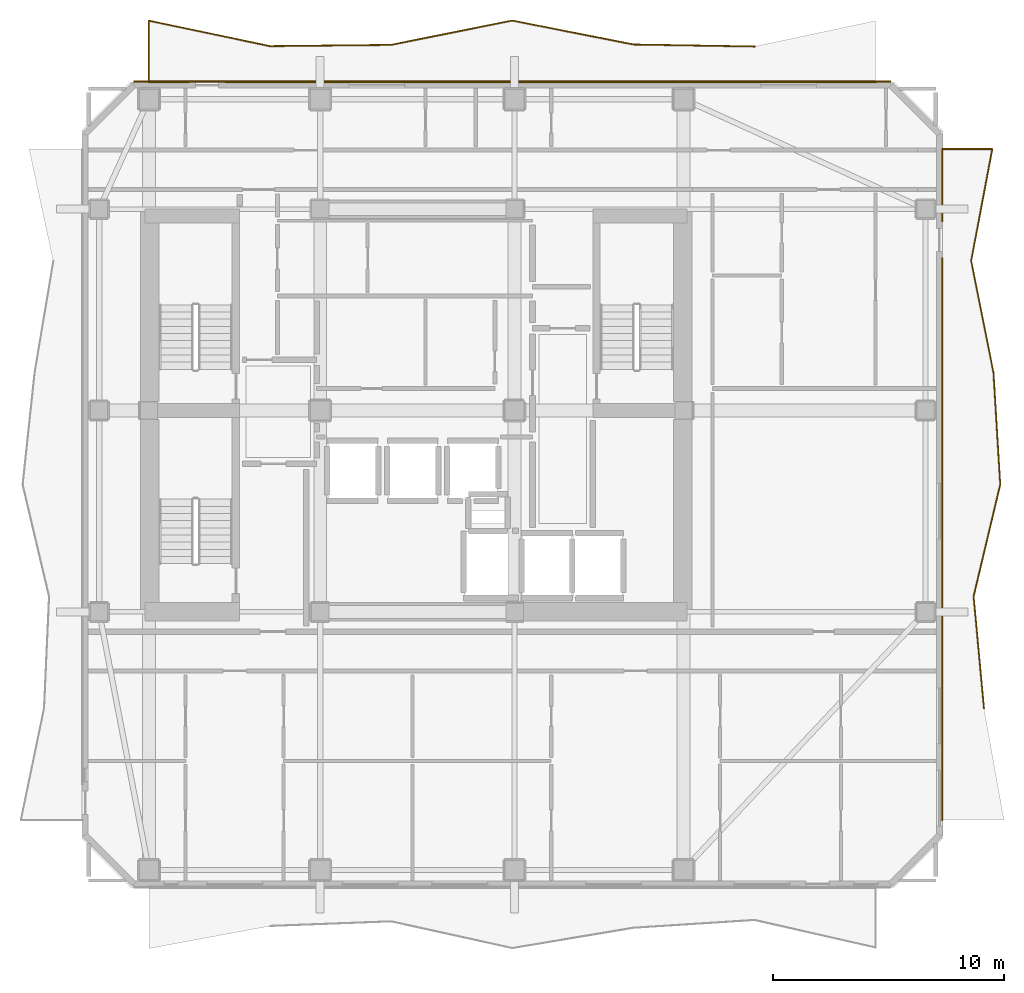
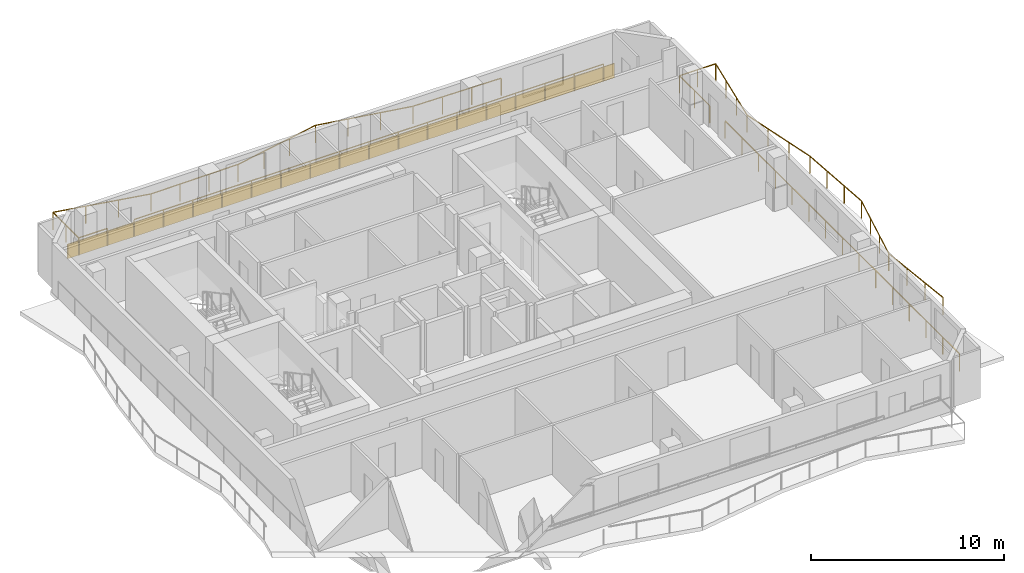
# One storey, part 9 of 9: 4 railings, 1 covering.
"""IFC4 building model written with IfcOpenShell, lengths in metres."""

from ifc_helpers import new_model, si_unit, direction, frame, frame_2d, origin, origin_2d, place, context, subcontext, project, spatial, rectangle, extrude, material, layer, layer_set, type_object, element, save


model = new_model("IFC4")

# Units and contexts
model_context = context("Model", 3, precision=1e-05, world=origin(), true_north=direction((0.0, 1.0)))
body_context = subcontext(model_context, "Body", "Model", "MODEL_VIEW")
ifc_project = project(units=[si_unit("LENGTHUNIT", "METRE"), si_unit("AREAUNIT", "SQUARE_METRE"), si_unit("VOLUMEUNIT", "CUBIC_METRE"), si_unit("PLANEANGLEUNIT", "RADIAN"), si_unit("MASSUNIT", "GRAM", prefix="KILO")], contexts=[model_context])

# Site, building, storey
site_placement = place(None, origin())
site = spatial("IfcSite", under=ifc_project, at=site_placement, CompositionType="ELEMENT")
building_placement = place(site_placement, origin())
building = spatial("IfcBuilding", under=site, at=building_placement, Name="Solanera Arch Residences", CompositionType="ELEMENT")
storey_placement = place(building_placement, frame((0.0, 0.0, 216.719970703125)))
storey = spatial("IfcBuildingStorey", under=building, at=storey_placement, Name="L63", CompositionType="ELEMENT", Elevation=216.719970703125)

# Railings
ifc_material_1 = material(Name="Steel S355 (ASTM A992 / A572 Grade 50)", Category="steel")
railing_type = type_object("IfcRailingType", Name="Balustrade Railing BL-1100", PredefinedType="BALUSTRADE", material=ifc_material_1)
railing_1_placement = place(storey_placement, frame((39.56689453125, 46.429931640625, 0.0)))
element("IfcRailing", 1, at=railing_1_placement, inside=storey, type_object=railing_type, Name="L63 N Balcony Balustrade 1", PredefinedType="BALUSTRADE", context=body_context, shape_type="SweptSolid", body=[
    extrude(rectangle(XDim=0.048095703125, YDim=0.048095703125, at=origin_2d()), frame((0.0, 0.0, 1.09619140625), z_axis=(-0.999858249851, 0.016836870426, 0.0), x_axis=(-0.016836870426, -0.999858249851, 0.0)), (0.0, 0.0, 1.0), 5.234619140625),
    extrude(rectangle(XDim=0.048095703125, YDim=0.048095703125, at=origin_2d()), frame((-5.23388671875, 0.088134765625, 1.09619140625), z_axis=(-0.981103535694, 0.193483467639, 0.0), x_axis=(-0.193483467639, -0.981103535694, 0.0)), (0.0, 0.0, 1.0), 5.333740234375),
    extrude(rectangle(XDim=0.048095703125, YDim=0.048095703125, at=origin_2d()), frame((-10.466796875, 1.1201171875, 1.09619140625), z_axis=(-0.980492610512, -0.196555948093, 0.0), x_axis=(0.196555948093, -0.980492610512, 0.0)), (0.0, 0.0, 1.0), 5.337158203125),
    extrude(rectangle(XDim=0.048095703125, YDim=0.048095703125, at=origin_2d()), frame((-15.699951171875, 0.071044921875, 1.09619140625), z_axis=(-0.999944928028, -0.010494804031, 0.0), x_axis=(0.010494804031, -0.999944928028, 0.0)), (0.0, 0.0, 1.0), 5.234130859375),
    extrude(rectangle(XDim=0.048095703125, YDim=0.048095703125, at=origin_2d()), frame((-20.933837890625, 0.01611328125, 1.09619140625), z_axis=(-0.978619966934, 0.205676834665, 0.0), x_axis=(-0.205676834665, -0.978619966934, 0.0)), (0.0, 0.0, 1.0), 5.347412109375),
    extrude(rectangle(XDim=0.048095703125, YDim=0.048095703125, at=origin_2d()), frame((-26.1669921875, 1.115966796875, 1.09619140625), z_axis=(0.0, -1.0, 0.0), x_axis=(1.0, 0.0, 0.0)), (0.0, 0.0, 1.0), 2.666015625),
    extrude(rectangle(XDim=0.048095703125, YDim=0.048095703125, at=origin_2d()), frame((-26.1669921875, -1.550048828125, 1.09619140625), z_axis=(1.0, 0.0, 0.0), x_axis=(0.0, 1.0, 0.0)), (0.0, 0.0, 1.0), 1.710205078125),
    extrude(rectangle(XDim=0.0419921875, YDim=0.0419921875, at=origin_2d()), origin(), (0.0, 0.0, 1.0), 1.072021484375),
    extrude(rectangle(XDim=0.0419921875, YDim=0.0419921875, at=origin_2d()), frame((-1.74462890625, 0.029296875, 0.0)), (0.0, 0.0, 1.0), 1.072021484375),
    extrude(rectangle(XDim=0.0419921875, YDim=0.0419921875, at=origin_2d()), frame((-3.4892578125, 0.058837890625, 0.0)), (0.0, 0.0, 1.0), 1.072021484375),
    extrude(rectangle(XDim=0.0419921875, YDim=0.0419921875, at=origin_2d()), frame((-5.23388671875, 0.088134765625, 0.0)), (0.0, 0.0, 1.0), 1.072021484375),
    extrude(rectangle(XDim=0.0419921875, YDim=0.0419921875, at=origin_2d()), frame((-6.978271484375, 0.43212890625, 0.0)), (0.0, 0.0, 1.0), 1.072021484375),
    extrude(rectangle(XDim=0.0419921875, YDim=0.0419921875, at=origin_2d()), frame((-8.722412109375, 0.776123046875, 0.0)), (0.0, 0.0, 1.0), 1.072021484375),
    extrude(rectangle(XDim=0.0419921875, YDim=0.0419921875, at=origin_2d()), frame((-10.466796875, 1.1201171875, 0.0)), (0.0, 0.0, 1.0), 1.072021484375),
    extrude(rectangle(XDim=0.0419921875, YDim=0.0419921875, at=origin_2d()), frame((-12.211181640625, 0.7705078125, 0.0)), (0.0, 0.0, 1.0), 1.072021484375),
    extrude(rectangle(XDim=0.0419921875, YDim=0.0419921875, at=origin_2d()), frame((-13.95556640625, 0.420654296875, 0.0)), (0.0, 0.0, 1.0), 1.072021484375),
    extrude(rectangle(XDim=0.0419921875, YDim=0.0419921875, at=origin_2d()), frame((-15.699951171875, 0.071044921875, 0.0)), (0.0, 0.0, 1.0), 1.072021484375),
    extrude(rectangle(XDim=0.0419921875, YDim=0.0419921875, at=origin_2d()), frame((-17.444580078125, 0.052734375, 0.0)), (0.0, 0.0, 1.0), 1.072021484375),
    extrude(rectangle(XDim=0.0419921875, YDim=0.0419921875, at=origin_2d()), frame((-19.189208984375, 0.034423828125, 0.0)), (0.0, 0.0, 1.0), 1.072021484375),
    extrude(rectangle(XDim=0.0419921875, YDim=0.0419921875, at=origin_2d()), frame((-20.933837890625, 0.01611328125, 0.0)), (0.0, 0.0, 1.0), 1.072021484375),
    extrude(rectangle(XDim=0.0419921875, YDim=0.0419921875, at=origin_2d()), frame((-22.67822265625, 0.3828125, 0.0)), (0.0, 0.0, 1.0), 1.072021484375),
    extrude(rectangle(XDim=0.0419921875, YDim=0.0419921875, at=origin_2d()), frame((-24.422607421875, 0.749267578125, 0.0)), (0.0, 0.0, 1.0), 1.072021484375),
    extrude(rectangle(XDim=0.0419921875, YDim=0.0419921875, at=origin_2d()), frame((-26.1669921875, 1.115966796875, 0.0)), (0.0, 0.0, 1.0), 1.072021484375),
    extrude(rectangle(XDim=0.0419921875, YDim=0.0419921875, at=origin_2d()), frame((-26.1669921875, -0.217041015625, 0.0)), (0.0, 0.0, 1.0), 1.072021484375),
    extrude(rectangle(XDim=0.0419921875, YDim=0.0419921875, at=origin_2d()), frame((-26.1669921875, -1.550048828125, 0.0)), (0.0, 0.0, 1.0), 1.072021484375),
    extrude(rectangle(XDim=0.0419921875, YDim=0.0419921875, at=origin_2d()), frame((-24.456787109375, -1.550048828125, 0.0)), (0.0, 0.0, 1.0), 1.072021484375),
])
railing_2_placement = place(storey_placement, frame((16.7099609375, 44.8798828125, 0.0)))
element("IfcRailing", 2, at=railing_2_placement, inside=storey, type_object=railing_type, Name="L63 N Balcony Balustrade 2", PredefinedType="BALUSTRADE", context=body_context, shape_type="SweptSolid", body=[
    extrude(rectangle(XDim=0.048095703125, YDim=0.048095703125, at=origin_2d()), frame((0.0, 0.0, 1.09619140625), z_axis=(1.0, 0.0, 0.0), x_axis=(0.0, 1.0, 0.0)), (0.0, 0.0, 1.0), 28.090087890625),
    extrude(rectangle(XDim=0.0419921875, YDim=0.0419921875, at=origin_2d()), origin(), (0.0, 0.0, 1.0), 1.072021484375),
    extrude(rectangle(XDim=0.0419921875, YDim=0.0419921875, at=origin_2d()), frame((1.755615234375, 0.0, 0.0)), (0.0, 0.0, 1.0), 1.072021484375),
    extrude(rectangle(XDim=0.0419921875, YDim=0.0419921875, at=origin_2d()), frame((3.51123046875, 0.0, 0.0)), (0.0, 0.0, 1.0), 1.072021484375),
    extrude(rectangle(XDim=0.0419921875, YDim=0.0419921875, at=origin_2d()), frame((5.266845703125, 0.0, 0.0)), (0.0, 0.0, 1.0), 1.072021484375),
    extrude(rectangle(XDim=0.0419921875, YDim=0.0419921875, at=origin_2d()), frame((7.0224609375, 0.0, 0.0)), (0.0, 0.0, 1.0), 1.072021484375),
    extrude(rectangle(XDim=0.0419921875, YDim=0.0419921875, at=origin_2d()), frame((8.778076171875, 0.0, 0.0)), (0.0, 0.0, 1.0), 1.072021484375),
    extrude(rectangle(XDim=0.0419921875, YDim=0.0419921875, at=origin_2d()), frame((10.53369140625, 0.0, 0.0)), (0.0, 0.0, 1.0), 1.072021484375),
    extrude(rectangle(XDim=0.0419921875, YDim=0.0419921875, at=origin_2d()), frame((12.289306640625, 0.0, 0.0)), (0.0, 0.0, 1.0), 1.072021484375),
    extrude(rectangle(XDim=0.0419921875, YDim=0.0419921875, at=origin_2d()), frame((14.044921875, 0.0, 0.0)), (0.0, 0.0, 1.0), 1.072021484375),
    extrude(rectangle(XDim=0.0419921875, YDim=0.0419921875, at=origin_2d()), frame((15.80078125, 0.0, 0.0)), (0.0, 0.0, 1.0), 1.072021484375),
    extrude(rectangle(XDim=0.0419921875, YDim=0.0419921875, at=origin_2d()), frame((17.556396484375, 0.0, 0.0)), (0.0, 0.0, 1.0), 1.072021484375),
    extrude(rectangle(XDim=0.0419921875, YDim=0.0419921875, at=origin_2d()), frame((19.31201171875, 0.0, 0.0)), (0.0, 0.0, 1.0), 1.072021484375),
    extrude(rectangle(XDim=0.0419921875, YDim=0.0419921875, at=origin_2d()), frame((21.067626953125, 0.0, 0.0)), (0.0, 0.0, 1.0), 1.072021484375),
    extrude(rectangle(XDim=0.0419921875, YDim=0.0419921875, at=origin_2d()), frame((22.8232421875, 0.0, 0.0)), (0.0, 0.0, 1.0), 1.072021484375),
    extrude(rectangle(XDim=0.0419921875, YDim=0.0419921875, at=origin_2d()), frame((24.578857421875, 0.0, 0.0)), (0.0, 0.0, 1.0), 1.072021484375),
    extrude(rectangle(XDim=0.0419921875, YDim=0.0419921875, at=origin_2d()), frame((26.33447265625, 0.0, 0.0)), (0.0, 0.0, 1.0), 1.072021484375),
    extrude(rectangle(XDim=0.0419921875, YDim=0.0419921875, at=origin_2d()), frame((28.090087890625, 0.0, 0.0)), (0.0, 0.0, 1.0), 1.072021484375),
])
railing_3_placement = place(storey_placement, frame((49.48291015625, 17.8330078125, 0.0)))
element("IfcRailing", 3, at=railing_3_placement, inside=storey, type_object=railing_type, Name="L63 E Balcony Balustrade 1", PredefinedType="BALUSTRADE", context=body_context, shape_type="SweptSolid", body=[
    extrude(rectangle(XDim=0.048095703125, YDim=0.048095703125, at=origin_2d()), frame((0.0, 0.0, 1.09619140625), z_axis=(-0.092281313669, 0.995732975826, 0.0), x_axis=(-0.995732975826, -0.092281313669, 0.0)), (0.0, 0.0, 1.0), 4.854736328125),
    extrude(rectangle(XDim=0.048095703125, YDim=0.048095703125, at=origin_2d()), frame((-0.447998046875, 4.833984375, 1.09619140625), z_axis=(0.231698033775, 0.972787757501, 0.0), x_axis=(-0.972787757501, 0.231698033775, 0.0)), (0.0, 0.0, 1.0), 4.96826171875),
    extrude(rectangle(XDim=0.048095703125, YDim=0.048095703125, at=origin_2d()), frame((0.703125, 9.6669921875, 1.09619140625), z_axis=(-0.060306283291, 0.998179919752, 0.0), x_axis=(-0.998179919752, -0.060306283291, 0.0)), (0.0, 0.0, 1.0), 4.841796875),
    extrude(rectangle(XDim=0.048095703125, YDim=0.048095703125, at=origin_2d()), frame((0.4111328125, 14.5, 1.09619140625), z_axis=(-0.195401686752, 0.980723294724, 0.0), x_axis=(-0.980723294724, -0.195401686752, 0.0)), (0.0, 0.0, 1.0), 4.928955078125),
    extrude(rectangle(XDim=0.048095703125, YDim=0.048095703125, at=origin_2d()), frame((-0.552001953125, 19.333984375, 1.09619140625), z_axis=(0.185259531892, 0.98268962844, 0.0), x_axis=(-0.98268962844, 0.185259531892, 0.0)), (0.0, 0.0, 1.0), 4.918212890625),
    extrude(rectangle(XDim=0.048095703125, YDim=0.048095703125, at=origin_2d()), frame((0.359130859375, 24.1669921875, 1.09619140625), z_axis=(-1.0, 0.0, 0.0), x_axis=(0.0, -1.0, 0.0)), (0.0, 0.0, 1.0), 2.162109375),
    extrude(rectangle(XDim=0.048095703125, YDim=0.048095703125, at=origin_2d()), frame((-1.802978515625, 24.1669921875, 1.09619140625), z_axis=(0.0, -1.0, 0.0), x_axis=(1.0, 0.0, 0.0)), (0.0, 0.0, 1.0), 3.126953125),
    extrude(rectangle(XDim=0.0419921875, YDim=0.0419921875, at=origin_2d()), origin(), (0.0, 0.0, 1.0), 1.072021484375),
    extrude(rectangle(XDim=0.0419921875, YDim=0.0419921875, at=origin_2d()), frame((-0.1494140625, 1.611328125, 0.0)), (0.0, 0.0, 1.0), 1.072021484375),
    extrude(rectangle(XDim=0.0419921875, YDim=0.0419921875, at=origin_2d()), frame((-0.298583984375, 3.22265625, 0.0)), (0.0, 0.0, 1.0), 1.072021484375),
    extrude(rectangle(XDim=0.0419921875, YDim=0.0419921875, at=origin_2d()), frame((-0.447998046875, 4.833984375, 0.0)), (0.0, 0.0, 1.0), 1.072021484375),
    extrude(rectangle(XDim=0.0419921875, YDim=0.0419921875, at=origin_2d()), frame((-0.064208984375, 6.445068359375, 0.0)), (0.0, 0.0, 1.0), 1.072021484375),
    extrude(rectangle(XDim=0.0419921875, YDim=0.0419921875, at=origin_2d()), frame((0.3193359375, 8.055908203125, 0.0)), (0.0, 0.0, 1.0), 1.072021484375),
    extrude(rectangle(XDim=0.0419921875, YDim=0.0419921875, at=origin_2d()), frame((0.703125, 9.6669921875, 0.0)), (0.0, 0.0, 1.0), 1.072021484375),
    extrude(rectangle(XDim=0.0419921875, YDim=0.0419921875, at=origin_2d()), frame((0.605712890625, 11.278076171875, 0.0)), (0.0, 0.0, 1.0), 1.072021484375),
    extrude(rectangle(XDim=0.0419921875, YDim=0.0419921875, at=origin_2d()), frame((0.508544921875, 12.888916015625, 0.0)), (0.0, 0.0, 1.0), 1.072021484375),
    extrude(rectangle(XDim=0.0419921875, YDim=0.0419921875, at=origin_2d()), frame((0.4111328125, 14.5, 0.0)), (0.0, 0.0, 1.0), 1.072021484375),
    extrude(rectangle(XDim=0.0419921875, YDim=0.0419921875, at=origin_2d()), frame((0.090087890625, 16.111328125, 0.0)), (0.0, 0.0, 1.0), 1.072021484375),
    extrude(rectangle(XDim=0.0419921875, YDim=0.0419921875, at=origin_2d()), frame((-0.23095703125, 17.72265625, 0.0)), (0.0, 0.0, 1.0), 1.072021484375),
    extrude(rectangle(XDim=0.0419921875, YDim=0.0419921875, at=origin_2d()), frame((-0.552001953125, 19.333984375, 0.0)), (0.0, 0.0, 1.0), 1.072021484375),
    extrude(rectangle(XDim=0.0419921875, YDim=0.0419921875, at=origin_2d()), frame((-0.248291015625, 20.945068359375, 0.0)), (0.0, 0.0, 1.0), 1.072021484375),
    extrude(rectangle(XDim=0.0419921875, YDim=0.0419921875, at=origin_2d()), frame((0.055419921875, 22.555908203125, 0.0)), (0.0, 0.0, 1.0), 1.072021484375),
    extrude(rectangle(XDim=0.0419921875, YDim=0.0419921875, at=origin_2d()), frame((0.359130859375, 24.1669921875, 0.0)), (0.0, 0.0, 1.0), 1.072021484375),
    extrude(rectangle(XDim=0.0419921875, YDim=0.0419921875, at=origin_2d()), frame((-0.721923828125, 24.1669921875, 0.0)), (0.0, 0.0, 1.0), 1.072021484375),
    extrude(rectangle(XDim=0.0419921875, YDim=0.0419921875, at=origin_2d()), frame((-1.802978515625, 24.1669921875, 0.0)), (0.0, 0.0, 1.0), 1.072021484375),
    extrude(rectangle(XDim=0.0419921875, YDim=0.0419921875, at=origin_2d()), frame((-1.802978515625, 22.603515625, 0.0)), (0.0, 0.0, 1.0), 1.072021484375),
    extrude(rectangle(XDim=0.0419921875, YDim=0.0419921875, at=origin_2d()), frame((-1.802978515625, 21.0400390625, 0.0)), (0.0, 0.0, 1.0), 1.072021484375),
])
railing_4_placement = place(storey_placement, frame((47.679931640625, 37.27294921875, 0.0)))
element("IfcRailing", 4, at=railing_4_placement, inside=storey, type_object=railing_type, Name="L63 E Balcony Balustrade 2", PredefinedType="BALUSTRADE", context=body_context, shape_type="SweptSolid", body=[
    extrude(rectangle(XDim=0.048095703125, YDim=0.048095703125, at=origin_2d()), frame((0.0, 0.0, 1.09619140625), z_axis=(0.0, -1.0, 0.0), x_axis=(1.0, 0.0, 0.0)), (0.0, 0.0, 1.0), 24.27294921875),
    extrude(rectangle(XDim=0.0419921875, YDim=0.0419921875, at=origin_2d()), origin(), (0.0, 0.0, 1.0), 1.072021484375),
    extrude(rectangle(XDim=0.0419921875, YDim=0.0419921875, at=origin_2d()), frame((0.0, -1.73388671875, 0.0)), (0.0, 0.0, 1.0), 1.072021484375),
    extrude(rectangle(XDim=0.0419921875, YDim=0.0419921875, at=origin_2d()), frame((0.0, -3.467529296875, 0.0)), (0.0, 0.0, 1.0), 1.072021484375),
    extrude(rectangle(XDim=0.0419921875, YDim=0.0419921875, at=origin_2d()), frame((0.0, -5.201416015625, 0.0)), (0.0, 0.0, 1.0), 1.072021484375),
    extrude(rectangle(XDim=0.0419921875, YDim=0.0419921875, at=origin_2d()), frame((0.0, -6.93505859375, 0.0)), (0.0, 0.0, 1.0), 1.072021484375),
    extrude(rectangle(XDim=0.0419921875, YDim=0.0419921875, at=origin_2d()), frame((0.0, -8.6689453125, 0.0)), (0.0, 0.0, 1.0), 1.072021484375),
    extrude(rectangle(XDim=0.0419921875, YDim=0.0419921875, at=origin_2d()), frame((0.0, -10.402587890625, 0.0)), (0.0, 0.0, 1.0), 1.072021484375),
    extrude(rectangle(XDim=0.0419921875, YDim=0.0419921875, at=origin_2d()), frame((0.0, -12.136474609375, 0.0)), (0.0, 0.0, 1.0), 1.072021484375),
    extrude(rectangle(XDim=0.0419921875, YDim=0.0419921875, at=origin_2d()), frame((0.0, -13.870361328125, 0.0)), (0.0, 0.0, 1.0), 1.072021484375),
    extrude(rectangle(XDim=0.0419921875, YDim=0.0419921875, at=origin_2d()), frame((0.0, -15.60400390625, 0.0)), (0.0, 0.0, 1.0), 1.072021484375),
    extrude(rectangle(XDim=0.0419921875, YDim=0.0419921875, at=origin_2d()), frame((0.0, -17.337890625, 0.0)), (0.0, 0.0, 1.0), 1.072021484375),
    extrude(rectangle(XDim=0.0419921875, YDim=0.0419921875, at=origin_2d()), frame((0.0, -19.071533203125, 0.0)), (0.0, 0.0, 1.0), 1.072021484375),
    extrude(rectangle(XDim=0.0419921875, YDim=0.0419921875, at=origin_2d()), frame((0.0, -20.805419921875, 0.0)), (0.0, 0.0, 1.0), 1.072021484375),
    extrude(rectangle(XDim=0.0419921875, YDim=0.0419921875, at=origin_2d()), frame((0.0, -22.5390625, 0.0)), (0.0, 0.0, 1.0), 1.072021484375),
    extrude(rectangle(XDim=0.0419921875, YDim=0.0419921875, at=origin_2d()), frame((0.0, -24.27294921875, 0.0)), (0.0, 0.0, 1.0), 1.072021484375),
])

# Covering
ifc_material_2 = material(Name="Philippine Adobe Travertine Cladding", Category="masonry")
ifc_layer = layer(ifc_material_2, 0.06005859375)
ifc_layer_set = layer_set([ifc_layer], Name="Philippine Adobe Travertine Cladding")
covering_type = type_object("IfcCoveringType", Name="Precast Pier Stone Cladding CLD-60", PredefinedType="CLADDING", material=ifc_layer_set)
covering_placement = place(storey_placement, frame((12.7451171875, 44.9150390625, 0.0), z_axis=(0.0, 0.0, 1.0), x_axis=(1.0, 0.0, 0.0)))
element("IfcCovering", 5, at=covering_placement, inside=storey, type_object=covering_type, Name="L63 N Precast Spandrel Stone Band", PredefinedType="CLADDING", context=body_context, shape_type="SweptSolid", body=[
    extrude(rectangle(XDim=32.7099609375, YDim=0.06005859375, at=frame_2d((16.35498046875, 0.0))), origin(), (0.0, 0.0, 1.0), 0.900146484375),
])

save(model, "model.ifc")
